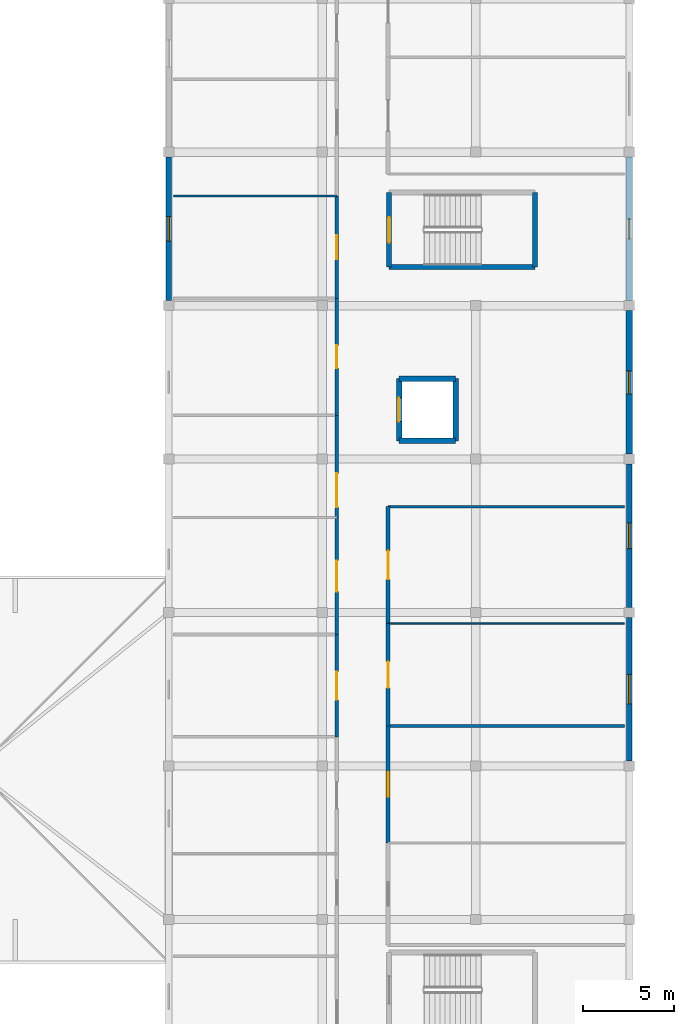
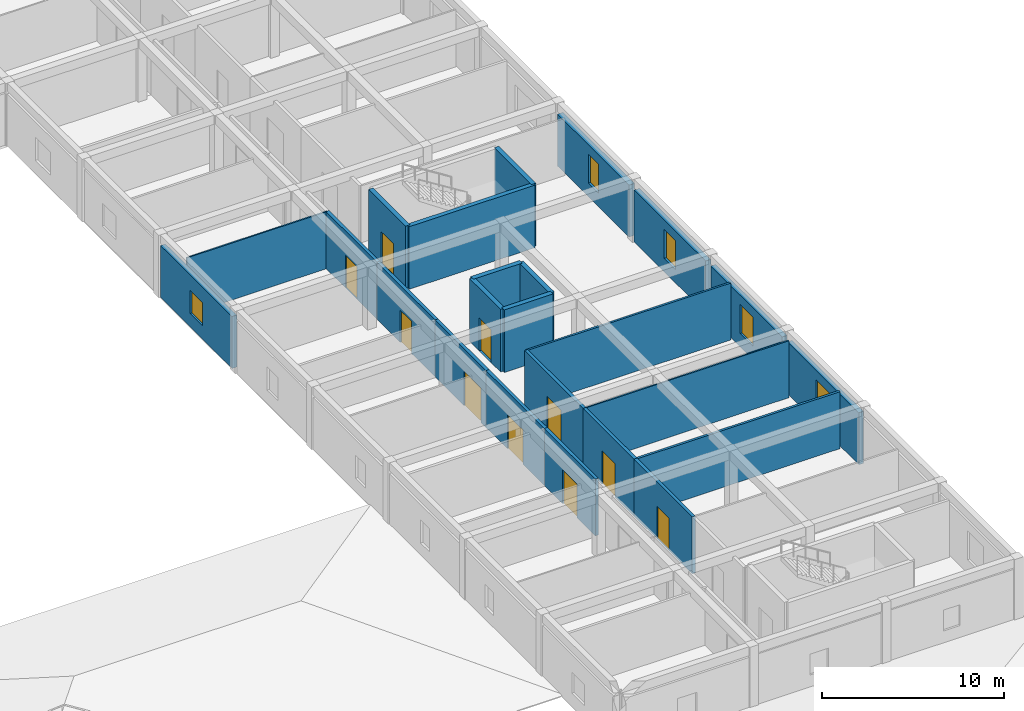
# One storey, part 25 of 42: 24 walls, 10 doors, 5 windows, 15 openings.
"""IFC4 building model written with IfcOpenShell, lengths in metres."""

from ifc_helpers import new_model, si_unit, direction, frame, frame_2d, origin, place, context, subcontext, project, spatial, rectangle, extrude, material, layer, layer_set, type_object, element, fill, save


model = new_model("IFC4")

# Units and contexts
model_context = context("Model", 3, precision=1e-05, world=origin(), true_north=direction((0.0, 1.0)))
body_context = subcontext(model_context, "Body", "Model", "MODEL_VIEW")
ifc_project = project(units=[si_unit("LENGTHUNIT", "METRE"), si_unit("AREAUNIT", "SQUARE_METRE"), si_unit("VOLUMEUNIT", "CUBIC_METRE"), si_unit("PLANEANGLEUNIT", "RADIAN"), si_unit("MASSUNIT", "GRAM", prefix="KILO")], contexts=[model_context])

# Site, building, storey
site_placement = place(None, origin())
site = spatial("IfcSite", under=ifc_project, at=site_placement, CompositionType="ELEMENT")
building_placement = place(site_placement, origin())
building = spatial("IfcBuilding", under=site, at=building_placement, Name="Varncliffe General Hospital", CompositionType="ELEMENT")
storey_placement = place(building_placement, frame((0.0, 0.0, 20.39990234375)))
storey = spatial("IfcBuildingStorey", under=building, at=storey_placement, Name="L04", CompositionType="ELEMENT", Elevation=20.39990234375)

# Wall, opening, window
ifc_material_1 = material(Name="Precast concrete C40/50 with insulated cream lime-cement stucco", Category="concrete")
ifc_layer_1 = layer(ifc_material_1, 0.31005859375)
ifc_layer_set_1 = layer_set([ifc_layer_1], Name="Precast concrete C40/50 with insulated cream lime-cement stucco")
wall_type_1 = type_object("IfcWallType", Name="Exterior Insulated Stucco Wall EW20 (310mm)", PredefinedType="SOLIDWALL", material=ifc_layer_set_1)
wall_1_placement = place(storey_placement, frame((151.199951171875, 57.873046875, 0.0), z_axis=(0.0, 0.0, 1.0), x_axis=(0.0, 1.0, 0.0)))
wall_1 = element("IfcWall", 1, at=wall_1_placement, inside=storey, type_object=wall_type_1, Name="L04 Exterior Stucco Wall EW20-313", PredefinedType="SOLIDWALL", context=body_context, shape_type="SweptSolid", body=[
    extrude(rectangle(XDim=7.85400390625, YDim=0.31005859375, at=frame_2d((3.927001953125, 0.0))), origin(), (0.0, 0.0, 1.0), 3.47998046875),
])
opening_1_placement = place(wall_1_placement, frame((3.251953125, 0.0, 0.89990234375)))
opening_1 = element("IfcOpeningElement", 2, at=opening_1_placement, cuts=wall_1, Name="Opening WN24", PredefinedType="OPENING", context=body_context, shape_type="SweptSolid", body=[
    extrude(rectangle(XDim=1.35009765625, YDim=1.550048828125, at=frame_2d((0.675048828125, 0.77490234375))), frame((0.0, 0.1650390625, 0.0), z_axis=(0.0, -1.0, 0.0), x_axis=(1.0, 0.0, 0.0)), (0.0, 0.0, 1.0), 0.330078125),
])
ifc_material_2 = material(Name="Triple low-E argon insulated vision glazing", Category="glass")
window_type_1 = type_object("IfcWindowType", Name="Triple-Glazed Hospital Window WN24 (1350x1550)", PartitioningType="SINGLE_PANEL", PredefinedType="WINDOW", material=ifc_material_2)
window_1_placement = place(opening_1_placement, origin())
window_1 = element("IfcWindow", 3, at=window_1_placement, inside=storey, type_object=window_type_1, Name="L04 Hospital Window WN24-231", OverallHeight=1.550048828125, OverallWidth=1.35009765625, PartitioningType="SINGLE_PANEL", PredefinedType="WINDOW", context=body_context, shape_type="SweptSolid", body=[
    extrude(rectangle(XDim=1.35009765625, YDim=1.550048828125, at=frame_2d((0.675048828125, 0.77490234375))), frame((0.0, 0.030029296875, 0.0), z_axis=(0.0, -1.0, 0.0), x_axis=(1.0, 0.0, 0.0)), (0.0, 0.0, 1.0), 0.06005859375),
])
fill(opening_1, window_1)

wall_2_placement = place(storey_placement, frame((176.39990234375, 48.927001953125, 0.0), z_axis=(0.0, 0.0, 1.0), x_axis=(0.0, -1.0, 0.0)))
wall_2 = element("IfcWall", 4, at=wall_2_placement, inside=storey, type_object=wall_type_1, Name="L04 Exterior Stucco Wall EW20-385", PredefinedType="SOLIDWALL", context=body_context, shape_type="SweptSolid", body=[
    extrude(rectangle(XDim=7.85400390625, YDim=0.31005859375, at=frame_2d((3.927001953125, 0.0))), origin(), (0.0, 0.0, 1.0), 3.47998046875),
])
opening_2_placement = place(wall_2_placement, frame((3.22705078125, 0.0, 0.89990234375)))
opening_2 = element("IfcOpeningElement", 5, at=opening_2_placement, cuts=wall_2, Name="Opening WN22", PredefinedType="OPENING", context=body_context, shape_type="SweptSolid", body=[
    extrude(rectangle(XDim=1.39990234375, YDim=1.949951171875, at=frame_2d((0.699951171875, 0.97509765625))), frame((0.0, 0.1650390625, 0.0), z_axis=(0.0, -1.0, 0.0), x_axis=(1.0, 0.0, 0.0)), (0.0, 0.0, 1.0), 0.330078125),
])
window_type_2 = type_object("IfcWindowType", Name="Triple-Glazed Hospital Window WN22 (1400x1950)", PartitioningType="SINGLE_PANEL", PredefinedType="WINDOW", material=ifc_material_2)
window_2_placement = place(opening_2_placement, origin())
window_2 = element("IfcWindow", 6, at=window_2_placement, inside=storey, type_object=window_type_2, Name="L04 Hospital Window WN22-290", OverallHeight=1.949951171875, OverallWidth=1.39990234375, PartitioningType="SINGLE_PANEL", PredefinedType="WINDOW", context=body_context, shape_type="SweptSolid", body=[
    extrude(rectangle(XDim=1.39990234375, YDim=1.949951171875, at=frame_2d((0.699951171875, 0.97509765625))), frame((0.0, 0.030029296875, 0.0), z_axis=(0.0, -1.0, 0.0), x_axis=(1.0, 0.0, 0.0)), (0.0, 0.0, 1.0), 0.06005859375),
])
fill(opening_2, window_2)

ifc_layer_2 = layer(ifc_material_1, 0.2900390625)
ifc_layer_set_2 = layer_set([ifc_layer_2], Name="Precast concrete C40/50 with insulated cream lime-cement stucco")
wall_type_2 = type_object("IfcWallType", Name="Exterior Insulated Stucco Wall EW31 (290mm)", PredefinedType="SOLIDWALL", material=ifc_layer_set_2)
wall_3_placement = place(storey_placement, frame((176.39990234375, 40.527099609375, 0.0), z_axis=(0.0, 0.0, 1.0), x_axis=(0.0, -1.0, 0.0)))
wall_3 = element("IfcWall", 7, at=wall_3_placement, inside=storey, type_object=wall_type_2, Name="L04 Exterior Stucco Wall EW31-386", PredefinedType="SOLIDWALL", context=body_context, shape_type="SweptSolid", body=[
    extrude(rectangle(XDim=7.85400390625, YDim=0.2900390625, at=frame_2d((3.927001953125, 0.0))), origin(), (0.0, 0.0, 1.0), 3.47998046875),
])
opening_3_placement = place(wall_3_placement, frame((3.126953125, 0.0, 0.89990234375)))
opening_3 = element("IfcOpeningElement", 8, at=opening_3_placement, cuts=wall_3, Name="Opening WN13", PredefinedType="OPENING", context=body_context, shape_type="SweptSolid", body=[
    extrude(rectangle(XDim=1.60009765625, YDim=1.949951171875, at=frame_2d((0.800048828125, 0.97509765625))), frame((0.0, 0.155029296875, 0.0), z_axis=(0.0, -1.0, 0.0), x_axis=(1.0, 0.0, 0.0)), (0.0, 0.0, 1.0), 0.31005859375),
])
window_type_3 = type_object("IfcWindowType", Name="Triple-Glazed Hospital Window WN13 (1600x1950)", PartitioningType="DOUBLE_PANEL_VERTICAL", PredefinedType="WINDOW", material=ifc_material_2)
window_3_placement = place(opening_3_placement, origin())
window_3 = element("IfcWindow", 9, at=window_3_placement, inside=storey, type_object=window_type_3, Name="L04 Hospital Window WN13-291", OverallHeight=1.949951171875, OverallWidth=1.60009765625, PartitioningType="DOUBLE_PANEL_VERTICAL", PredefinedType="WINDOW", context=body_context, shape_type="SweptSolid", body=[
    extrude(rectangle(XDim=1.60009765625, YDim=1.949951171875, at=frame_2d((0.800048828125, 0.97509765625))), frame((0.0, 0.030029296875, 0.0), z_axis=(0.0, -1.0, 0.0), x_axis=(1.0, 0.0, 0.0)), (0.0, 0.0, 1.0), 0.06005859375),
])
fill(opening_3, window_3)

ifc_layer_3 = layer(ifc_material_1, 0.330078125)
ifc_layer_set_3 = layer_set([ifc_layer_3], Name="Precast concrete C40/50 with insulated cream lime-cement stucco")
wall_type_3 = type_object("IfcWallType", Name="Exterior Insulated Stucco Wall EW33 (330mm)", PredefinedType="SOLIDWALL", material=ifc_layer_set_3)
wall_4_placement = place(storey_placement, frame((176.39990234375, 57.326904296875, 0.0), z_axis=(0.0, 0.0, 1.0), x_axis=(0.0, -1.0, 0.0)))
wall_4 = element("IfcWall", 10, at=wall_4_placement, inside=storey, type_object=wall_type_3, Name="L04 Exterior Stucco Wall EW33-384", PredefinedType="SOLIDWALL", context=body_context, shape_type="SweptSolid", body=[
    extrude(rectangle(XDim=7.85400390625, YDim=0.330078125, at=frame_2d((3.927001953125, 0.0))), origin(), (0.0, 0.0, 1.0), 3.47998046875),
])
opening_4_placement = place(wall_4_placement, frame((3.302001953125, 0.0, 0.89990234375)))
opening_4 = element("IfcOpeningElement", 11, at=opening_4_placement, cuts=wall_4, Name="Opening WN49", PredefinedType="OPENING", context=body_context, shape_type="SweptSolid", body=[
    extrude(rectangle(XDim=1.25, YDim=1.949951171875, at=frame_2d((0.625, 0.97509765625))), frame((0.0, 0.175048828125, 0.0), z_axis=(0.0, -1.0, 0.0), x_axis=(1.0, 0.0, 0.0)), (0.0, 0.0, 1.0), 0.35009765625),
])
window_type_4 = type_object("IfcWindowType", Name="Triple-Glazed Hospital Window WN49 (1250x1950)", PartitioningType="SINGLE_PANEL", PredefinedType="WINDOW", material=ifc_material_2)
window_4_placement = place(opening_4_placement, origin())
window_4 = element("IfcWindow", 12, at=window_4_placement, inside=storey, type_object=window_type_4, Name="L04 Hospital Window WN49-289", OverallHeight=1.949951171875, OverallWidth=1.25, PartitioningType="SINGLE_PANEL", PredefinedType="WINDOW", context=body_context, shape_type="SweptSolid", body=[
    extrude(rectangle(XDim=1.25, YDim=1.949951171875, at=frame_2d((0.625, 0.97509765625))), frame((0.0, 0.030029296875, 0.0), z_axis=(0.0, -1.0, 0.0), x_axis=(1.0, 0.0, 0.0)), (0.0, 0.0, 1.0), 0.06005859375),
])
fill(opening_4, window_4)

ifc_layer_4 = layer(ifc_material_1, 0.35009765625)
ifc_layer_set_4 = layer_set([ifc_layer_4], Name="Precast concrete C40/50 with insulated cream lime-cement stucco")
wall_type_4 = type_object("IfcWallType", Name="Exterior Insulated Stucco Wall EW37 (350mm)", PredefinedType="SOLIDWALL", material=ifc_layer_set_4)
wall_5_placement = place(storey_placement, frame((176.39990234375, 65.72705078125, 0.0), z_axis=(0.0, 0.0, 1.0), x_axis=(0.0, -1.0, 0.0)))
wall_5 = element("IfcWall", 13, at=wall_5_placement, inside=storey, type_object=wall_type_4, Name="L04 Exterior Stucco Wall EW37-383", PredefinedType="SOLIDWALL", context=body_context, shape_type="SweptSolid", body=[
    extrude(rectangle(XDim=7.85400390625, YDim=0.35009765625, at=frame_2d((3.927001953125, 0.0))), origin(), (0.0, 0.0, 1.0), 3.47998046875),
])
opening_5_placement = place(wall_5_placement, frame((3.376953125, 0.0, 0.89990234375)))
opening_5 = element("IfcOpeningElement", 14, at=opening_5_placement, cuts=wall_5, Name="Opening WN41", PredefinedType="OPENING", context=body_context, shape_type="SweptSolid", body=[
    extrude(rectangle(XDim=1.10009765625, YDim=1.949951171875, at=frame_2d((0.550048828125, 0.97509765625))), frame((0.0, 0.18505859375, 0.0), z_axis=(0.0, -1.0, 0.0), x_axis=(1.0, 0.0, 0.0)), (0.0, 0.0, 1.0), 0.3701171875),
])
window_type_5 = type_object("IfcWindowType", Name="Triple-Glazed Hospital Window WN41 (1100x1950)", PartitioningType="SINGLE_PANEL", PredefinedType="WINDOW", material=ifc_material_2)
window_5_placement = place(opening_5_placement, origin())
window_5 = element("IfcWindow", 15, at=window_5_placement, inside=storey, type_object=window_type_5, Name="L04 Hospital Window WN41-288", OverallHeight=1.949951171875, OverallWidth=1.10009765625, PartitioningType="SINGLE_PANEL", PredefinedType="WINDOW", context=body_context, shape_type="SweptSolid", body=[
    extrude(rectangle(XDim=1.10009765625, YDim=1.949951171875, at=frame_2d((0.550048828125, 0.97509765625))), frame((0.0, 0.030029296875, 0.0), z_axis=(0.0, -1.0, 0.0), x_axis=(1.0, 0.0, 0.0)), (0.0, 0.0, 1.0), 0.06005859375),
])
fill(opening_5, window_5)

# Walls
ifc_material_3 = material(Name="Acoustic clinical gypsum stud partition assembly", Category="gypsum")
ifc_layer_5 = layer(ifc_material_3, 0.1298828125)
ifc_layer_set_5 = layer_set([ifc_layer_5], Name="Acoustic clinical gypsum stud partition assembly")
wall_type_5 = type_object("IfcWallType", Name="Interior Partitioning IW11 (130mm)", PredefinedType="PARTITIONING", material=ifc_layer_set_5)
wall_6_placement = place(storey_placement, frame((163.199951171875, 46.60009765625, 0.0), z_axis=(0.0, 0.0, 1.0), x_axis=(1.0, 0.0, 0.0)))
element("IfcWall", 16, at=wall_6_placement, inside=storey, type_object=wall_type_5, Name="L04 Interior Partition Wall IW11-1683", PredefinedType="PARTITIONING", context=body_context, shape_type="SweptSolid", body=[
    extrude(rectangle(XDim=12.93994140625, YDim=0.1298828125, at=frame_2d((6.469970703125, 0.0))), origin(), (0.0, 0.0, 1.0), 3.820068359375),
])
ifc_layer_6 = layer(ifc_material_3, 0.14990234375)
ifc_layer_set_6 = layer_set([ifc_layer_6], Name="Acoustic clinical gypsum stud partition assembly")
wall_type_6 = type_object("IfcWallType", Name="Interior Partitioning IW35 (150mm)", PredefinedType="PARTITIONING", material=ifc_layer_set_6)
wall_7_placement = place(storey_placement, frame((163.199951171875, 34.60009765625, 0.0), z_axis=(0.0, 0.0, 1.0), x_axis=(1.0, 0.0, 0.0)))
element("IfcWall", 17, at=wall_7_placement, inside=storey, type_object=wall_type_6, Name="L04 Interior Partition Wall IW35-1679", PredefinedType="PARTITIONING", context=body_context, shape_type="SweptSolid", body=[
    extrude(rectangle(XDim=12.93994140625, YDim=0.14990234375, at=frame_2d((6.469970703125, 0.0))), origin(), (0.0, 0.0, 1.0), 3.820068359375),
])
ifc_layer_7 = layer(ifc_material_3, 0.090087890625)
ifc_layer_set_7 = layer_set([ifc_layer_7], Name="Acoustic clinical gypsum stud partition assembly")
wall_type_7 = type_object("IfcWallType", Name="Interior Partitioning IW42 (90mm)", PredefinedType="PARTITIONING", material=ifc_layer_set_7)
wall_8_placement = place(storey_placement, frame((163.199951171875, 40.199951171875, 0.0), z_axis=(0.0, 0.0, 1.0), x_axis=(1.0, 0.0, 0.0)))
element("IfcWall", 18, at=wall_8_placement, inside=storey, type_object=wall_type_7, Name="L04 Interior Partition Wall IW42-1681", PredefinedType="PARTITIONING", context=body_context, shape_type="SweptSolid", body=[
    extrude(rectangle(XDim=12.93994140625, YDim=0.090087890625, at=frame_2d((6.469970703125, 0.0))), origin(), (0.0, 0.0, 1.0), 3.820068359375),
])
wall_9_placement = place(storey_placement, frame((151.4599609375, 63.60009765625, 0.0), z_axis=(0.0, 0.0, 1.0), x_axis=(1.0, 0.0, 0.0)))
element("IfcWall", 19, at=wall_9_placement, inside=storey, type_object=wall_type_7, Name="L04 Interior Partition Wall IW42-1686", PredefinedType="PARTITIONING", context=body_context, shape_type="SweptSolid", body=[
    extrude(rectangle(XDim=8.93994140625, YDim=0.090087890625, at=frame_2d((4.469970703125, 0.0))), origin(), (0.0, 0.0, 1.0), 3.820068359375),
])

# Wall, opening, door
ifc_material_4 = material(Name="Fire-rated gypsum and mineral-wool partition assembly", Category="gypsum")
ifc_layer_8 = layer(ifc_material_4, 0.199951171875)
ifc_layer_set_8 = layer_set([ifc_layer_8], Name="Fire-rated gypsum and mineral-wool partition assembly")
wall_type_8 = type_object("IfcWallType", Name="Interior Partitioning PW63 (200mm)", PredefinedType="PARTITIONING", material=ifc_layer_set_8)
wall_10_placement = place(storey_placement, frame((160.39990234375, 34.0, 0.0), z_axis=(0.0, 0.0, 1.0), x_axis=(0.0, 1.0, 0.0)))
wall_10 = element("IfcWall", 20, at=wall_10_placement, inside=storey, type_object=wall_type_8, Name="L04 Interior Partition Wall PW63-1976", PredefinedType="PARTITIONING", context=body_context, shape_type="SweptSolid", body=[
    extrude(rectangle(XDim=5.60009765625, YDim=0.199951171875, at=frame_2d((2.800048828125, 0.0))), origin(), (0.0, 0.0, 1.0), 3.820068359375),
])
opening_6_placement = place(wall_10_placement, frame((2.02490234375, 0.0, 0.0)))
opening_6 = element("IfcOpeningElement", 21, at=opening_6_placement, cuts=wall_10, Name="Opening DC67", PredefinedType="OPENING", context=body_context, shape_type="SweptSolid", body=[
    extrude(rectangle(XDim=1.550048828125, YDim=2.25, at=frame_2d((0.77490234375, 1.125))), frame((0.0, 0.10986328125, 0.0), z_axis=(0.0, -1.0, 0.0), x_axis=(1.0, 0.0, 0.0)), (0.0, 0.0, 1.0), 0.219970703125),
])
ifc_material_5 = material(Name="Fire-rated hospital steel-frame vision-panel door", Category="steel")
door_type_1 = type_object("IfcDoorType", Name="Interior Hospital Door DC67 (1550x2250)", OperationType="NOTDEFINED", PredefinedType="DOOR", material=ifc_material_5)
door_1_placement = place(opening_6_placement, origin())
door_1 = element("IfcDoor", 22, at=door_1_placement, inside=storey, type_object=door_type_1, Name="L04 Neurology Outpatient Consultation Room 64 Door", OperationType="SINGLE_SWING_LEFT", OverallHeight=2.25, OverallWidth=1.550048828125, PredefinedType="DOOR", context=body_context, shape_type="SweptSolid", body=[
    extrude(rectangle(XDim=1.550048828125, YDim=2.25, at=frame_2d((0.77490234375, 1.125))), frame((0.0, 0.02490234375, 0.0), z_axis=(0.0, -1.0, 0.0), x_axis=(1.0, 0.0, 0.0)), (0.0, 0.0, 1.0), 0.050048828125),
])
fill(opening_6, door_1)

wall_11_placement = place(storey_placement, frame((160.39990234375, 39.60009765625, 0.0), z_axis=(0.0, 0.0, 1.0), x_axis=(0.0, 1.0, 0.0)))
wall_11 = element("IfcWall", 23, at=wall_11_placement, inside=storey, type_object=wall_type_8, Name="L04 Interior Partition Wall PW63-1977", PredefinedType="PARTITIONING", context=body_context, shape_type="SweptSolid", body=[
    extrude(rectangle(XDim=6.39990234375, YDim=0.199951171875, at=frame_2d((3.199951171875, 0.0))), origin(), (0.0, 0.0, 1.0), 3.820068359375),
])
opening_7_placement = place(wall_11_placement, frame((2.35009765625, 0.0, 0.0)))
opening_7 = element("IfcOpeningElement", 24, at=opening_7_placement, cuts=wall_11, Name="Opening DC50", PredefinedType="OPENING", context=body_context, shape_type="SweptSolid", body=[
    extrude(rectangle(XDim=1.699951171875, YDim=2.300048828125, at=frame_2d((0.85009765625, 1.14990234375))), frame((0.0, 0.10986328125, 0.0), z_axis=(0.0, -1.0, 0.0), x_axis=(1.0, 0.0, 0.0)), (0.0, 0.0, 1.0), 0.219970703125),
])
door_type_2 = type_object("IfcDoorType", Name="Interior Hospital Door DC50 (1700x2300)", OperationType="NOTDEFINED", PredefinedType="DOOR", material=ifc_material_5)
door_2_placement = place(opening_7_placement, origin())
door_2 = element("IfcDoor", 25, at=door_2_placement, inside=storey, type_object=door_type_2, Name="L04 Cardiology Diagnostics and Stress Echo Clinic 65 Door", OperationType="SINGLE_SWING_RIGHT", OverallHeight=2.300048828125, OverallWidth=1.699951171875, PredefinedType="DOOR", context=body_context, shape_type="SweptSolid", body=[
    extrude(rectangle(XDim=1.699951171875, YDim=2.300048828125, at=frame_2d((0.85009765625, 1.14990234375))), frame((0.0, 0.02490234375, 0.0), z_axis=(0.0, -1.0, 0.0), x_axis=(1.0, 0.0, 0.0)), (0.0, 0.0, 1.0), 0.050048828125),
])
fill(opening_7, door_2)

wall_12_placement = place(storey_placement, frame((160.39990234375, 46.0, 0.0), z_axis=(0.0, 0.0, 1.0), x_axis=(0.0, 1.0, 0.0)))
wall_12 = element("IfcWall", 26, at=wall_12_placement, inside=storey, type_object=wall_type_8, Name="L04 Interior Partition Wall PW63-1978", PredefinedType="PARTITIONING", context=body_context, shape_type="SweptSolid", body=[
    extrude(rectangle(XDim=5.60009765625, YDim=0.199951171875, at=frame_2d((2.800048828125, 0.0))), origin(), (0.0, 0.0, 1.0), 3.820068359375),
])
opening_8_placement = place(wall_12_placement, frame((0.56689453125, 0.0, 0.0)))
opening_8 = element("IfcOpeningElement", 27, at=opening_8_placement, cuts=wall_12, Name="Opening DC38", PredefinedType="OPENING", context=body_context, shape_type="SweptSolid", body=[
    extrude(rectangle(XDim=1.85009765625, YDim=2.300048828125, at=frame_2d((0.925048828125, 1.14990234375))), frame((0.0, 0.10986328125, 0.0), z_axis=(0.0, -1.0, 0.0), x_axis=(1.0, 0.0, 0.0)), (0.0, 0.0, 1.0), 0.219970703125),
])
door_type_3 = type_object("IfcDoorType", Name="Interior Hospital Door DC38 (1850x2300)", OperationType="NOTDEFINED", PredefinedType="DOOR", material=ifc_material_5)
door_3_placement = place(opening_8_placement, origin())
door_3 = element("IfcDoor", 28, at=door_3_placement, inside=storey, type_object=door_type_3, Name="L04 Neurology Outpatient Consultation Room 66 Door", OperationType="SINGLE_SWING_LEFT", OverallHeight=2.300048828125, OverallWidth=1.85009765625, PredefinedType="DOOR", context=body_context, shape_type="SweptSolid", body=[
    extrude(rectangle(XDim=1.85009765625, YDim=2.300048828125, at=frame_2d((0.925048828125, 1.14990234375))), frame((0.0, 0.02490234375, 0.0), z_axis=(0.0, -1.0, 0.0), x_axis=(1.0, 0.0, 0.0)), (0.0, 0.0, 1.0), 0.050048828125),
])
fill(opening_8, door_3)

wall_13_placement = place(storey_placement, frame((160.39990234375, 51.60009765625, 0.0), z_axis=(0.0, 0.0, 1.0), x_axis=(0.0, 1.0, 0.0)))
wall_13 = element("IfcWall", 29, at=wall_13_placement, inside=storey, type_object=wall_type_8, Name="L04 Interior Partition Wall PW63-1979", PredefinedType="PARTITIONING", context=body_context, shape_type="SweptSolid", body=[
    extrude(rectangle(XDim=6.39990234375, YDim=0.199951171875, at=frame_2d((3.199951171875, 0.0))), origin(), (0.0, 0.0, 1.0), 3.820068359375),
])
opening_9_placement = place(wall_13_placement, frame((2.574951171875, 0.0, 0.0)))
opening_9 = element("IfcOpeningElement", 30, at=opening_9_placement, cuts=wall_13, Name="Opening DC44", PredefinedType="OPENING", context=body_context, shape_type="SweptSolid", body=[
    extrude(rectangle(XDim=1.25, YDim=2.14990234375, at=frame_2d((0.625, 1.074951171875))), frame((0.0, 0.10986328125, 0.0), z_axis=(0.0, -1.0, 0.0), x_axis=(1.0, 0.0, 0.0)), (0.0, 0.0, 1.0), 0.219970703125),
])
door_type_4 = type_object("IfcDoorType", Name="Interior Hospital Door DC44 (1250x2150)", OperationType="NOTDEFINED", PredefinedType="DOOR", material=ifc_material_5)
door_4_placement = place(opening_9_placement, origin())
door_4 = element("IfcDoor", 31, at=door_4_placement, inside=storey, type_object=door_type_4, Name="L04 Cardiology Diagnostics and Stress Echo Clinic 67 Door", OperationType="SINGLE_SWING_RIGHT", OverallHeight=2.14990234375, OverallWidth=1.25, PredefinedType="DOOR", context=body_context, shape_type="SweptSolid", body=[
    extrude(rectangle(XDim=1.25, YDim=2.14990234375, at=frame_2d((0.625, 1.074951171875))), frame((0.0, 0.02490234375, 0.0), z_axis=(0.0, -1.0, 0.0), x_axis=(1.0, 0.0, 0.0)), (0.0, 0.0, 1.0), 0.050048828125),
])
fill(opening_9, door_4)

wall_14_placement = place(storey_placement, frame((160.39990234375, 58.0, 0.0), z_axis=(0.0, 0.0, 1.0), x_axis=(0.0, 1.0, 0.0)))
wall_14 = element("IfcWall", 32, at=wall_14_placement, inside=storey, type_object=wall_type_8, Name="L04 Interior Partition Wall PW63-1980", PredefinedType="PARTITIONING", context=body_context, shape_type="SweptSolid", body=[
    extrude(rectangle(XDim=5.60009765625, YDim=0.199951171875, at=frame_2d((2.800048828125, 0.0))), origin(), (0.0, 0.0, 1.0), 3.820068359375),
])
opening_10_placement = place(wall_14_placement, frame((2.14990234375, 0.0, 0.0)))
opening_10 = element("IfcOpeningElement", 33, at=opening_10_placement, cuts=wall_14, Name="Opening DC88", PredefinedType="OPENING", context=body_context, shape_type="SweptSolid", body=[
    extrude(rectangle(XDim=1.300048828125, YDim=2.199951171875, at=frame_2d((0.64990234375, 1.10009765625))), frame((0.0, 0.10986328125, 0.0), z_axis=(0.0, -1.0, 0.0), x_axis=(1.0, 0.0, 0.0)), (0.0, 0.0, 1.0), 0.219970703125),
])
door_type_5 = type_object("IfcDoorType", Name="Interior Hospital Door DC88 (1300x2200)", OperationType="NOTDEFINED", PredefinedType="DOOR", material=ifc_material_5)
door_5_placement = place(opening_10_placement, origin())
door_5 = element("IfcDoor", 34, at=door_5_placement, inside=storey, type_object=door_type_5, Name="L04 Neurology Outpatient Consultation Room 68 Door", OperationType="SINGLE_SWING_LEFT", OverallHeight=2.199951171875, OverallWidth=1.300048828125, PredefinedType="DOOR", context=body_context, shape_type="SweptSolid", body=[
    extrude(rectangle(XDim=1.300048828125, YDim=2.199951171875, at=frame_2d((0.64990234375, 1.10009765625))), frame((0.0, 0.02490234375, 0.0), z_axis=(0.0, -1.0, 0.0), x_axis=(1.0, 0.0, 0.0)), (0.0, 0.0, 1.0), 0.050048828125),
])
fill(opening_10, door_5)

wall_15_placement = place(storey_placement, frame((163.199951171875, 28.199951171875, 0.0), z_axis=(0.0, 0.0, 1.0), x_axis=(0.0, 1.0, 0.0)))
wall_15 = element("IfcWall", 35, at=wall_15_placement, inside=storey, type_object=wall_type_8, Name="L04 Interior Partition Wall PW63-1988", PredefinedType="PARTITIONING", context=body_context, shape_type="SweptSolid", body=[
    extrude(rectangle(XDim=6.400146484375, YDim=0.199951171875, at=frame_2d((3.2001953125, 0.0))), origin(), (0.0, 0.0, 1.0), 3.820068359375),
])
opening_11_placement = place(wall_15_placement, frame((2.52490234375, 0.0, 0.0)))
opening_11 = element("IfcOpeningElement", 36, at=opening_11_placement, cuts=wall_15, Name="Opening DC85", PredefinedType="OPENING", context=body_context, shape_type="SweptSolid", body=[
    extrude(rectangle(XDim=1.35009765625, YDim=2.199951171875, at=frame_2d((0.675048828125, 1.10009765625))), frame((0.0, 0.10986328125, 0.0), z_axis=(0.0, -1.0, 0.0), x_axis=(1.0, 0.0, 0.0)), (0.0, 0.0, 1.0), 0.219970703125),
])
door_type_6 = type_object("IfcDoorType", Name="Interior Hospital Door DC85 (1350x2200)", OperationType="NOTDEFINED", PredefinedType="DOOR", material=ifc_material_5)
door_6_placement = place(opening_11_placement, frame((1.35009765625, 0.0, 0.0), z_axis=(0.0, 0.0, 1.0), x_axis=(-1.0, 0.0, 0.0)))
door_6 = element("IfcDoor", 37, at=door_6_placement, inside=storey, type_object=door_type_6, Name="L04 Cardiology Diagnostics and Stress Echo Clinic 73 Door", OperationType="SINGLE_SWING_LEFT", OverallHeight=2.199951171875, OverallWidth=1.35009765625, PredefinedType="DOOR", context=body_context, shape_type="SweptSolid", body=[
    extrude(rectangle(XDim=1.35009765625, YDim=2.199951171875, at=frame_2d((0.675048828125, 1.10009765625))), frame((0.0, 0.02490234375, 0.0), z_axis=(0.0, -1.0, 0.0), x_axis=(1.0, 0.0, 0.0)), (0.0, 0.0, 1.0), 0.050048828125),
])
fill(opening_11, door_6)

wall_16_placement = place(storey_placement, frame((163.199951171875, 34.60009765625, 0.0), z_axis=(0.0, 0.0, 1.0), x_axis=(0.0, 1.0, 0.0)))
wall_16 = element("IfcWall", 38, at=wall_16_placement, inside=storey, type_object=wall_type_8, Name="L04 Interior Partition Wall PW63-1989", PredefinedType="PARTITIONING", context=body_context, shape_type="SweptSolid", body=[
    extrude(rectangle(XDim=5.599853515625, YDim=0.199951171875, at=frame_2d((2.7998046875, 0.0))), origin(), (0.0, 0.0, 1.0), 3.820068359375),
])
opening_12_placement = place(wall_16_placement, frame((2.074951171875, 0.0, 0.0)))
opening_12 = element("IfcOpeningElement", 39, at=opening_12_placement, cuts=wall_16, Name="Opening DC66", PredefinedType="OPENING", context=body_context, shape_type="SweptSolid", body=[
    extrude(rectangle(XDim=1.449951171875, YDim=2.25, at=frame_2d((0.72509765625, 1.125))), frame((0.0, 0.10986328125, 0.0), z_axis=(0.0, -1.0, 0.0), x_axis=(1.0, 0.0, 0.0)), (0.0, 0.0, 1.0), 0.219970703125),
])
door_type_7 = type_object("IfcDoorType", Name="Interior Hospital Door DC66 (1450x2250)", OperationType="NOTDEFINED", PredefinedType="DOOR", material=ifc_material_5)
door_7_placement = place(opening_12_placement, frame((1.449951171875, 0.0, 0.0), z_axis=(0.0, 0.0, 1.0), x_axis=(-1.0, 0.0, 0.0)))
door_7 = element("IfcDoor", 40, at=door_7_placement, inside=storey, type_object=door_type_7, Name="L04 Neurology Outpatient Consultation Room 74 Door", OperationType="SINGLE_SWING_RIGHT", OverallHeight=2.25, OverallWidth=1.449951171875, PredefinedType="DOOR", context=body_context, shape_type="SweptSolid", body=[
    extrude(rectangle(XDim=1.449951171875, YDim=2.25, at=frame_2d((0.72509765625, 1.125))), frame((0.0, 0.02490234375, 0.0), z_axis=(0.0, -1.0, 0.0), x_axis=(1.0, 0.0, 0.0)), (0.0, 0.0, 1.0), 0.050048828125),
])
fill(opening_12, door_7)

wall_17_placement = place(storey_placement, frame((163.199951171875, 40.199951171875, 0.0), z_axis=(0.0, 0.0, 1.0), x_axis=(0.0, 1.0, 0.0)))
wall_17 = element("IfcWall", 41, at=wall_17_placement, inside=storey, type_object=wall_type_8, Name="L04 Interior Partition Wall PW63-1990", PredefinedType="PARTITIONING", context=body_context, shape_type="SweptSolid", body=[
    extrude(rectangle(XDim=6.400146484375, YDim=0.199951171875, at=frame_2d((3.2001953125, 0.0))), origin(), (0.0, 0.0, 1.0), 3.820068359375),
])
opening_13_placement = place(wall_17_placement, frame((2.425048828125, 0.0, 0.0)))
opening_13 = element("IfcOpeningElement", 42, at=opening_13_placement, cuts=wall_17, Name="Opening DC67", PredefinedType="OPENING", context=body_context, shape_type="SweptSolid", body=[
    extrude(rectangle(XDim=1.550048828125, YDim=2.25, at=frame_2d((0.77490234375, 1.125))), frame((0.0, 0.10986328125, 0.0), z_axis=(0.0, -1.0, 0.0), x_axis=(1.0, 0.0, 0.0)), (0.0, 0.0, 1.0), 0.219970703125),
])
door_8_placement = place(opening_13_placement, frame((1.550048828125, 0.0, 0.0), z_axis=(0.0, 0.0, 1.0), x_axis=(-1.0, 0.0, 0.0)))
door_8 = element("IfcDoor", 43, at=door_8_placement, inside=storey, type_object=door_type_1, Name="L04 Cardiology Diagnostics and Stress Echo Clinic 75 Door", OperationType="SINGLE_SWING_LEFT", OverallHeight=2.25, OverallWidth=1.550048828125, PredefinedType="DOOR", context=body_context, shape_type="SweptSolid", body=[
    extrude(rectangle(XDim=1.550048828125, YDim=2.25, at=frame_2d((0.77490234375, 1.125))), frame((0.0, 0.02490234375, 0.0), z_axis=(0.0, -1.0, 0.0), x_axis=(1.0, 0.0, 0.0)), (0.0, 0.0, 1.0), 0.050048828125),
])
fill(opening_13, door_8)

# Walls
ifc_material_6 = material(Name="Concrete C40/50 (CSA A23.1 40 MPa)", Category="concrete")
ifc_layer_9 = layer(ifc_material_6, 0.300048828125)
ifc_layer_set_9 = layer_set([ifc_layer_9], Name="Concrete C40/50 (CSA A23.1 40 MPa)")
wall_type_9 = type_object("IfcWallType", Name="Reinforced Concrete Core Shear Wall CW12 (300mm)", PredefinedType="SHEAR", material=ifc_layer_set_9)
wall_18_placement = place(storey_placement, frame((163.800048828125, 50.199951171875, 0.0), z_axis=(0.0, 0.0, 1.0), x_axis=(1.0, 0.0, 0.0)))
element("IfcWall", 44, at=wall_18_placement, inside=storey, type_object=wall_type_9, Name="L04 LF08 Elevator Shaft Wall South", PredefinedType="SHEAR", context=body_context, shape_type="SweptSolid", body=[
    extrude(rectangle(XDim=3.099853515625, YDim=0.300048828125, at=frame_2d((1.5498046875, 0.0))), origin(), (0.0, 0.0, 1.0), 4.2001953125),
])
wall_19_placement = place(storey_placement, frame((166.89990234375, 50.199951171875, 0.0), z_axis=(0.0, 0.0, 1.0), x_axis=(0.0, 1.0, 0.0)))
element("IfcWall", 45, at=wall_19_placement, inside=storey, type_object=wall_type_9, Name="L04 LF08 Elevator Shaft Wall East", PredefinedType="SHEAR", context=body_context, shape_type="SweptSolid", body=[
    extrude(rectangle(XDim=3.400146484375, YDim=0.300048828125, at=frame_2d((1.7001953125, 0.0))), origin(), (0.0, 0.0, 1.0), 4.2001953125),
])
wall_20_placement = place(storey_placement, frame((166.89990234375, 53.60009765625, 0.0), z_axis=(0.0, 0.0, 1.0), x_axis=(-1.0, 0.0, 0.0)))
element("IfcWall", 46, at=wall_20_placement, inside=storey, type_object=wall_type_9, Name="L04 LF08 Elevator Shaft Wall North", PredefinedType="SHEAR", context=body_context, shape_type="SweptSolid", body=[
    extrude(rectangle(XDim=3.099853515625, YDim=0.300048828125, at=frame_2d((1.5498046875, 0.0))), origin(), (0.0, 0.0, 1.0), 4.2001953125),
])

# Wall, opening, door
wall_21_placement = place(storey_placement, frame((163.800048828125, 53.60009765625, 0.0), z_axis=(0.0, 0.0, 1.0), x_axis=(0.0, -1.0, 0.0)))
wall_21 = element("IfcWall", 47, at=wall_21_placement, inside=storey, type_object=wall_type_9, Name="L04 LF08 Elevator Shaft Wall West", PredefinedType="SHEAR", context=body_context, shape_type="SweptSolid", body=[
    extrude(rectangle(XDim=3.400146484375, YDim=0.300048828125, at=frame_2d((1.7001953125, 0.0))), origin(), (0.0, 0.0, 1.0), 4.2001953125),
])
opening_14_placement = place(wall_21_placement, frame((1.050048828125, 0.0, 0.0)))
opening_14 = element("IfcOpeningElement", 48, at=opening_14_placement, cuts=wall_21, Name="Opening LD02", PredefinedType="OPENING", context=body_context, shape_type="SweptSolid", body=[
    extrude(rectangle(XDim=1.300048828125, YDim=2.199951171875, at=frame_2d((0.64990234375, 1.10009765625))), frame((0.0, 0.16015625, 0.0), z_axis=(0.0, -1.0, 0.0), x_axis=(1.0, 0.0, 0.0)), (0.0, 0.0, 1.0), 0.320068359375),
])
ifc_material_7 = material(Name="Brushed stainless-steel sliding elevator landing door", Category="steel")
door_type_8 = type_object("IfcDoorType", Name="Lift Landing Door LD02 (1300x2200)", OperationType="DOUBLE_DOOR_SLIDING", PredefinedType="DOOR", material=ifc_material_7)
door_9_placement = place(opening_14_placement, origin())
door_9 = element("IfcDoor", 49, at=door_9_placement, inside=storey, type_object=door_type_8, Name="Lift Landing Door LF08 L04", OperationType="DOUBLE_DOOR_SLIDING", OverallHeight=2.199951171875, OverallWidth=1.300048828125, PredefinedType="DOOR", context=body_context, shape_type="SweptSolid", body=[
    extrude(rectangle(XDim=1.300048828125, YDim=2.199951171875, at=frame_2d((0.64990234375, 1.10009765625))), frame((0.0, 0.02490234375, 0.0), z_axis=(0.0, -1.0, 0.0), x_axis=(1.0, 0.0, 0.0)), (0.0, 0.0, 1.0), 0.050048828125),
])
fill(opening_14, door_9)

# Walls
ifc_layer_10 = layer(ifc_material_6, 0.280029296875)
ifc_layer_set_10 = layer_set([ifc_layer_10], Name="Concrete C40/50 (CSA A23.1 40 MPa)")
wall_type_10 = type_object("IfcWallType", Name="Reinforced Concrete Core Shear Wall CW13 (280mm)", PredefinedType="SHEAR", material=ifc_layer_set_10)
wall_22_placement = place(storey_placement, frame((163.260009765625, 59.7099609375, 0.0), z_axis=(0.0, 0.0, 1.0), x_axis=(1.0, 0.0, 0.0)))
element("IfcWall", 50, at=wall_22_placement, inside=storey, type_object=wall_type_10, Name="L04 ST07 Core Shear Wall L", PredefinedType="SHEAR", context=body_context, shape_type="SweptSolid", body=[
    extrude(rectangle(XDim=7.97998046875, YDim=0.280029296875, at=frame_2d((3.989990234375, 0.0))), origin(), (0.0, 0.0, 1.0), 4.2001953125),
])
wall_23_placement = place(storey_placement, frame((171.239990234375, 59.7099609375, 0.0), z_axis=(0.0, 0.0, 1.0), x_axis=(0.0, 1.0, 0.0)))
element("IfcWall", 51, at=wall_23_placement, inside=storey, type_object=wall_type_10, Name="L04 ST07 Core Shear Wall F", PredefinedType="SHEAR", context=body_context, shape_type="SweptSolid", body=[
    extrude(rectangle(XDim=4.080078125, YDim=0.280029296875, at=frame_2d((2.0400390625, 0.0))), origin(), (0.0, 0.0, 1.0), 4.2001953125),
])

# Wall, opening, door
wall_24_placement = place(storey_placement, frame((163.260009765625, 63.7900390625, 0.0), z_axis=(0.0, 0.0, 1.0), x_axis=(0.0, -1.0, 0.0)))
wall_24 = element("IfcWall", 52, at=wall_24_placement, inside=storey, type_object=wall_type_10, Name="L04 ST07 Core Shear Wall N", PredefinedType="SHEAR", context=body_context, shape_type="SweptSolid", body=[
    extrude(rectangle(XDim=4.080078125, YDim=0.280029296875, at=frame_2d((2.0400390625, 0.0))), origin(), (0.0, 0.0, 1.0), 4.2001953125),
])
opening_15_placement = place(wall_24_placement, frame((1.340087890625, 0.0, 0.0)))
opening_15 = element("IfcOpeningElement", 53, at=opening_15_placement, cuts=wall_24, Name="Opening DF81", PredefinedType="OPENING", context=body_context, shape_type="SweptSolid", body=[
    extrude(rectangle(XDim=1.39990234375, YDim=2.199951171875, at=frame_2d((0.699951171875, 1.10009765625))), frame((0.0, 0.14990234375, 0.0), z_axis=(0.0, -1.0, 0.0), x_axis=(1.0, 0.0, 0.0)), (0.0, 0.0, 1.0), 0.300048828125),
])
door_type_9 = type_object("IfcDoorType", Name="Interior Hospital Door DF81 (1400x2200)", OperationType="NOTDEFINED", PredefinedType="DOOR", material=ifc_material_5)
door_10_placement = place(opening_15_placement, frame((1.39990234375, 0.0, 0.0), z_axis=(0.0, 0.0, 1.0), x_axis=(-1.0, 0.0, 0.0)))
door_10 = element("IfcDoor", 54, at=door_10_placement, inside=storey, type_object=door_type_9, Name="L04 ST07 Protected Exit Stair Door", OperationType="SINGLE_SWING_RIGHT", OverallHeight=2.199951171875, OverallWidth=1.39990234375, PredefinedType="DOOR", context=body_context, shape_type="SweptSolid", body=[
    extrude(rectangle(XDim=1.39990234375, YDim=2.199951171875, at=frame_2d((0.699951171875, 1.10009765625))), frame((0.0, 0.02490234375, 0.0), z_axis=(0.0, -1.0, 0.0), x_axis=(1.0, 0.0, 0.0)), (0.0, 0.0, 1.0), 0.050048828125),
])
fill(opening_15, door_10)

save(model, "model.ifc")
